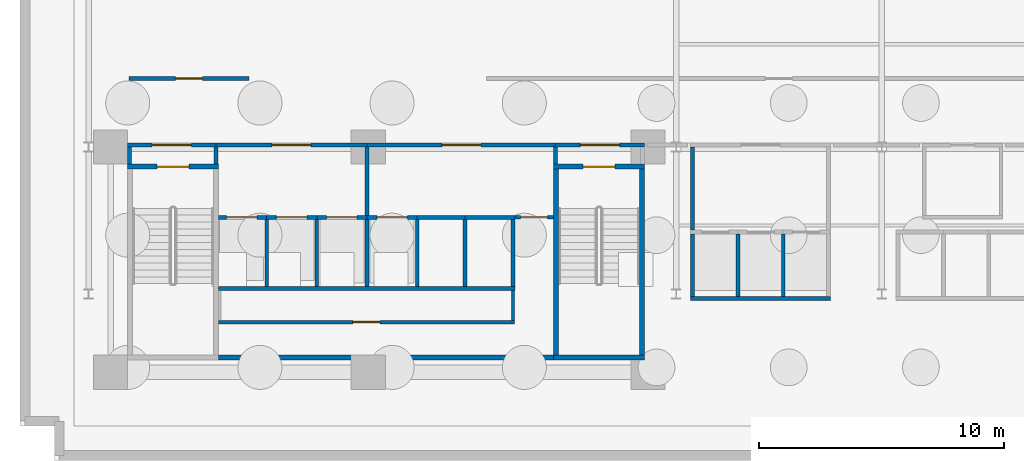
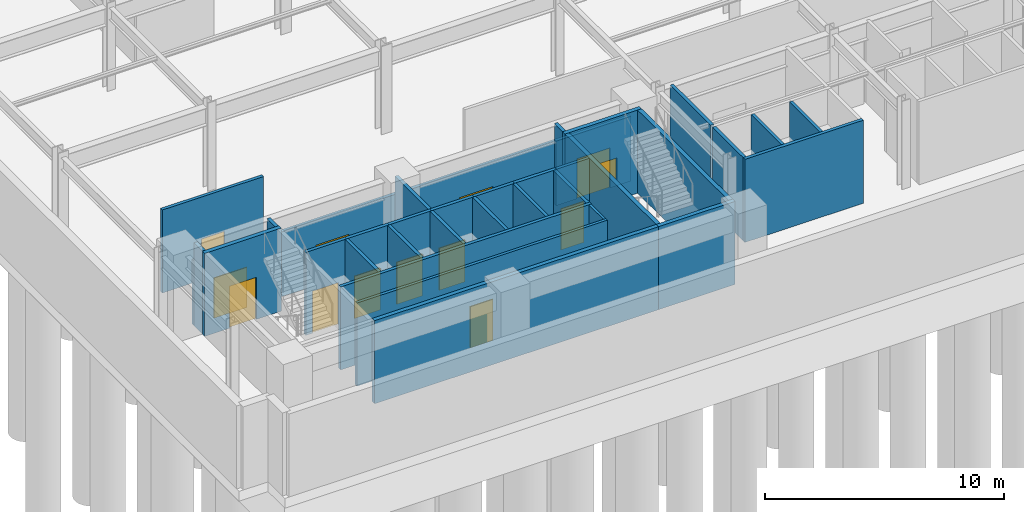
# One storey, part 8 of 14: 36 walls, 13 doors, 13 openings.
"""IFC4 building model written with IfcOpenShell, lengths in metres."""

from ifc_helpers import new_model, si_unit, direction, frame, frame_2d, origin, place, context, subcontext, project, spatial, rectangle, extrude, material, layer, layer_set, type_object, element, fill, save


model = new_model("IFC4")

# Units and contexts
model_context = context("Model", 3, precision=1e-05, world=origin(), true_north=direction((0.0, 1.0)))
body_context = subcontext(model_context, "Body", "Model", "MODEL_VIEW")
ifc_project = project(units=[si_unit("LENGTHUNIT", "METRE"), si_unit("AREAUNIT", "SQUARE_METRE"), si_unit("VOLUMEUNIT", "CUBIC_METRE"), si_unit("PLANEANGLEUNIT", "RADIAN"), si_unit("MASSUNIT", "GRAM", prefix="KILO")], contexts=[model_context])

# Site, building, storey
site_placement = place(None, origin())
site = spatial("IfcSite", under=ifc_project, at=site_placement, CompositionType="ELEMENT")
building_placement = place(site_placement, origin())
building = spatial("IfcBuilding", under=site, at=building_placement, Name="Varnakote Quay Hospital", CompositionType="ELEMENT")
storey_placement = place(building_placement, frame((0.0, 0.0, -9.0)))
storey = spatial("IfcBuildingStorey", under=building, at=storey_placement, Name="B02", CompositionType="ELEMENT", Elevation=-9.0)

# Wall
ifc_material_1 = material(Name="Fire-rated acoustic gypsum stud wall", Category="gypsum")
ifc_layer_1 = layer(ifc_material_1, 0.159912109375)
ifc_layer_set_1 = layer_set([ifc_layer_1], Name="Fire-rated acoustic gypsum stud wall")
wall_type_1 = type_object("IfcWallType", Name="WL-COMP-160", PredefinedType="PARTITIONING", material=ifc_layer_set_1)
wall_1_placement = place(storey_placement, frame((2.8798828125, 11.300048828125, 0.0), z_axis=(0.0, 0.0, 1.0), x_axis=(0.0, 1.0, 0.0)))
element("IfcWall", 1, at=wall_1_placement, inside=storey, type_object=wall_type_1, Name="B02 West Stair Vestibule West Wall", PredefinedType="PARTITIONING", context=body_context, shape_type="SweptSolid", body=[
    extrude(rectangle(XDim=0.699951171875, YDim=0.159912109375, at=frame_2d((0.35009765625, 0.0))), origin(), (0.0, 0.0, 1.0), 4.239990234375),
])

# Wall, opening, door
wall_2_placement = place(storey_placement, frame((2.800048828125, 12.080078125, 0.0), z_axis=(0.0, 0.0, 1.0), x_axis=(1.0, 0.0, 0.0)))
wall_2 = element("IfcWall", 2, at=wall_2_placement, inside=storey, type_object=wall_type_1, Name="B02 West Stair Vestibule Smoke Wall", PredefinedType="PARTITIONING", context=body_context, shape_type="SweptSolid", body=[
    extrude(rectangle(XDim=3.599853515625, YDim=0.159912109375, at=frame_2d((1.7998046875, 0.0))), origin(), (0.0, 0.0, 1.0), 3.304931640625),
])
opening_1_placement = place(wall_2_placement, frame((1.0, 0.0, 0.0)))
opening_1 = element("IfcOpeningElement", 3, at=opening_1_placement, cuts=wall_2, Name="Opening D-ST1L-B02", PredefinedType="OPENING", context=body_context, shape_type="SweptSolid", body=[
    extrude(rectangle(XDim=1.60009765625, YDim=2.050048828125, at=frame_2d((0.800048828125, 1.02490234375))), frame((0.0, 0.08984375, 0.0), z_axis=(0.0, -1.0, 0.0), x_axis=(1.0, 0.0, 0.0)), (0.0, 0.0, 1.0), 0.179931640625),
])
ifc_material_2 = material(Name="Fire-rated double smoke lobby door")
door_type_1 = type_object("IfcDoorType", Name="DR-LOBBY-FD60S-1600x2150", OperationType="NOTDEFINED", PredefinedType="DOOR", material=ifc_material_2)
door_1_placement = place(opening_1_placement, origin())
door_1 = element("IfcDoor", 4, at=door_1_placement, inside=storey, type_object=door_type_1, Name="B02 West Stair Vestibule Smoke Door", OperationType="DOUBLE_DOOR_SINGLE_SWING", OverallHeight=2.050048828125, OverallWidth=1.60009765625, PredefinedType="DOOR", context=body_context, shape_type="SweptSolid", body=[
    extrude(rectangle(XDim=1.60009765625, YDim=2.050048828125, at=frame_2d((0.800048828125, 1.02490234375))), frame((0.0, 0.02490234375, 0.0), z_axis=(0.0, -1.0, 0.0), x_axis=(1.0, 0.0, 0.0)), (0.0, 0.0, 1.0), 0.050048828125),
])
fill(opening_1, door_1)

# Wall
wall_3_placement = place(storey_placement, frame((6.39990234375, 11.300048828125, 0.0), z_axis=(0.0, 0.0, 1.0), x_axis=(0.0, 1.0, 0.0)))
element("IfcWall", 5, at=wall_3_placement, inside=storey, type_object=wall_type_1, Name="B02 Firefighting Lobby West Wall", PredefinedType="PARTITIONING", context=body_context, shape_type="SweptSolid", body=[
    extrude(rectangle(XDim=0.699951171875, YDim=0.159912109375, at=frame_2d((0.35009765625, 0.0))), origin(), (0.0, 0.0, 1.0), 4.239990234375),
])

# Wall, opening, door
wall_4_placement = place(storey_placement, frame((6.39990234375, 12.080078125, 0.0), z_axis=(0.0, 0.0, 1.0), x_axis=(1.0, 0.0, 0.0)))
wall_4 = element("IfcWall", 6, at=wall_4_placement, inside=storey, type_object=wall_type_1, Name="B02 Firefighting Lift Lobby Compartment Wall", PredefinedType="PARTITIONING", context=body_context, shape_type="SweptSolid", body=[
    extrude(rectangle(XDim=6.18017578125, YDim=0.159912109375, at=frame_2d((3.090087890625, 0.0))), origin(), (0.0, 0.0, 1.0), 3.304931640625),
])
opening_2_placement = place(wall_4_placement, frame((2.2900390625, 0.0, 0.0)))
opening_2 = element("IfcOpeningElement", 7, at=opening_2_placement, cuts=wall_4, Name="Opening D-FFL-B02", PredefinedType="OPENING", context=body_context, shape_type="SweptSolid", body=[
    extrude(rectangle(XDim=1.60009765625, YDim=2.050048828125, at=frame_2d((0.800048828125, 1.02490234375))), frame((0.0, 0.08984375, 0.0), z_axis=(0.0, -1.0, 0.0), x_axis=(1.0, 0.0, 0.0)), (0.0, 0.0, 1.0), 0.179931640625),
])
door_2_placement = place(opening_2_placement, origin())
door_2 = element("IfcDoor", 8, at=door_2_placement, inside=storey, type_object=door_type_1, Name="B02 Firefighting Smoke Vestibule Door", OperationType="DOUBLE_DOOR_SINGLE_SWING", OverallHeight=2.050048828125, OverallWidth=1.60009765625, PredefinedType="DOOR", context=body_context, shape_type="SweptSolid", body=[
    extrude(rectangle(XDim=1.60009765625, YDim=2.050048828125, at=frame_2d((0.800048828125, 1.02490234375))), frame((0.0, 0.02490234375, 0.0), z_axis=(0.0, -1.0, 0.0), x_axis=(1.0, 0.0, 0.0)), (0.0, 0.0, 1.0), 0.050048828125),
])
fill(opening_2, door_2)

# Wall
wall_5_placement = place(storey_placement, frame((12.580078125, 9.2099609375, 0.0), z_axis=(0.0, 0.0, 1.0), x_axis=(0.0, 1.0, 0.0)))
element("IfcWall", 9, at=wall_5_placement, inside=storey, type_object=wall_type_1, Name="B02 Firefighting to Service Lobby Wall", PredefinedType="PARTITIONING", context=body_context, shape_type="SweptSolid", body=[
    extrude(rectangle(XDim=2.7900390625, YDim=0.159912109375, at=frame_2d((1.39501953125, 0.0))), origin(), (0.0, 0.0, 1.0), 4.239990234375),
])

# Wall, opening, door
wall_6_placement = place(storey_placement, frame((12.580078125, 12.080078125, 0.0), z_axis=(0.0, 0.0, 1.0), x_axis=(1.0, 0.0, 0.0)))
wall_6 = element("IfcWall", 10, at=wall_6_placement, inside=storey, type_object=wall_type_1, Name="B02 Clinical Bed Lift Lobby Wall", PredefinedType="PARTITIONING", context=body_context, shape_type="SweptSolid", body=[
    extrude(rectangle(XDim=7.699951171875, YDim=0.159912109375, at=frame_2d((3.85009765625, 0.0))), origin(), (0.0, 0.0, 1.0), 3.304931640625),
])
opening_3_placement = place(wall_6_placement, frame((3.050048828125, 0.0, 0.0)))
opening_3 = element("IfcOpeningElement", 11, at=opening_3_placement, cuts=wall_6, Name="Opening D-SVL-B02", PredefinedType="OPENING", context=body_context, shape_type="SweptSolid", body=[
    extrude(rectangle(XDim=1.60009765625, YDim=2.050048828125, at=frame_2d((0.800048828125, 1.02490234375))), frame((0.0, 0.08984375, 0.0), z_axis=(0.0, -1.0, 0.0), x_axis=(1.0, 0.0, 0.0)), (0.0, 0.0, 1.0), 0.179931640625),
])
door_3_placement = place(opening_3_placement, origin())
door_3 = element("IfcDoor", 12, at=door_3_placement, inside=storey, type_object=door_type_1, Name="B02 Clinical Core Smoke Vestibule Door", OperationType="DOUBLE_DOOR_SINGLE_SWING", OverallHeight=2.050048828125, OverallWidth=1.60009765625, PredefinedType="DOOR", context=body_context, shape_type="SweptSolid", body=[
    extrude(rectangle(XDim=1.60009765625, YDim=2.050048828125, at=frame_2d((0.800048828125, 1.02490234375))), frame((0.0, 0.02490234375, 0.0), z_axis=(0.0, -1.0, 0.0), x_axis=(1.0, 0.0, 0.0)), (0.0, 0.0, 1.0), 0.050048828125),
])
fill(opening_3, door_3)

# Wall
wall_7_placement = place(storey_placement, frame((20.280029296875, 11.300048828125, 0.0), z_axis=(0.0, 0.0, 1.0), x_axis=(0.0, 1.0, 0.0)))
element("IfcWall", 13, at=wall_7_placement, inside=storey, type_object=wall_type_1, Name="B02 East Stair Vestibule Divider Wall", PredefinedType="PARTITIONING", context=body_context, shape_type="SweptSolid", body=[
    extrude(rectangle(XDim=0.699951171875, YDim=0.159912109375, at=frame_2d((0.35009765625, 0.0))), origin(), (0.0, 0.0, 1.0), 4.239990234375),
])

# Wall, opening, door
wall_8_placement = place(storey_placement, frame((20.280029296875, 12.080078125, 0.0), z_axis=(0.0, 0.0, 1.0), x_axis=(1.0, 0.0, 0.0)))
wall_8 = element("IfcWall", 14, at=wall_8_placement, inside=storey, type_object=wall_type_1, Name="B02 East Stair Vestibule Smoke Wall", PredefinedType="PARTITIONING", context=body_context, shape_type="SweptSolid", body=[
    extrude(rectangle(XDim=3.619873046875, YDim=0.159912109375, at=frame_2d((1.81005859375, 0.0))), origin(), (0.0, 0.0, 1.0), 3.304931640625),
])
opening_4_placement = place(wall_8_placement, frame((1.010009765625, 0.0, 0.0)))
opening_4 = element("IfcOpeningElement", 15, at=opening_4_placement, cuts=wall_8, Name="Opening D-ST2L-B02", PredefinedType="OPENING", context=body_context, shape_type="SweptSolid", body=[
    extrude(rectangle(XDim=1.60009765625, YDim=2.050048828125, at=frame_2d((0.800048828125, 1.02490234375))), frame((0.0, 0.08984375, 0.0), z_axis=(0.0, -1.0, 0.0), x_axis=(1.0, 0.0, 0.0)), (0.0, 0.0, 1.0), 0.179931640625),
])
door_4_placement = place(opening_4_placement, origin())
door_4 = element("IfcDoor", 16, at=door_4_placement, inside=storey, type_object=door_type_1, Name="B02 East Stair Vestibule Smoke Door", OperationType="DOUBLE_DOOR_SINGLE_SWING", OverallHeight=2.050048828125, OverallWidth=1.60009765625, PredefinedType="DOOR", context=body_context, shape_type="SweptSolid", body=[
    extrude(rectangle(XDim=1.60009765625, YDim=2.050048828125, at=frame_2d((0.800048828125, 1.02490234375))), frame((0.0, 0.02490234375, 0.0), z_axis=(0.0, -1.0, 0.0), x_axis=(1.0, 0.0, 0.0)), (0.0, 0.0, 1.0), 0.050048828125),
])
fill(opening_4, door_4)

# Walls
wall_9_placement = place(storey_placement, frame((25.8701171875, 8.610107421875, 0.0), z_axis=(0.0, 0.0, 1.0), x_axis=(0.0, 1.0, 0.0)))
element("IfcWall", 17, at=wall_9_placement, inside=storey, type_object=wall_type_1, Name="B02 Low-Rise Lift Lobby West Wall", PredefinedType="PARTITIONING", context=body_context, shape_type="SweptSolid", body=[
    extrude(rectangle(XDim=3.389892578125, YDim=0.159912109375, at=frame_2d((1.69482421875, 0.0))), origin(), (0.0, 0.0, 1.0), 4.239990234375),
])
ifc_material_3 = material(Name="Concrete N80 (f'c 80 MPa)", Category="concrete")
ifc_layer_2 = layer(ifc_material_3, 0.199951171875)
ifc_layer_set_2 = layer_set([ifc_layer_2], Name="Concrete N80 (f'c 80 MPa)")
wall_type_2 = type_object("IfcWallType", Name="WL-CORE-N80-200", PredefinedType="SHEAR", material=ifc_layer_set_2)
wall_10_placement = place(storey_placement, frame((6.5, 3.39990234375, 0.0), z_axis=(0.0, 0.0, 1.0), x_axis=(1.0, 0.0, 0.0)))
element("IfcWall", 18, at=wall_10_placement, inside=storey, type_object=wall_type_2, Name="B02 Rear Core South Shear Wall", PredefinedType="SHEAR", context=body_context, shape_type="SweptSolid", body=[
    extrude(rectangle(XDim=13.699951171875, YDim=0.199951171875, at=frame_2d((6.85009765625, 0.0))), origin(), (0.0, 0.0, 1.0), 4.239990234375),
])
ifc_material_4 = material(Name="Concrete N50 (f'c 50 MPa)", Category="concrete")
ifc_layer_3 = layer(ifc_material_4, 0.14990234375)
ifc_layer_set_3 = layer_set([ifc_layer_3], Name="Concrete N50 (f'c 50 MPa)")
wall_type_3 = type_object("IfcWallType", Name="WL-SHAFT-N50-150", PredefinedType="SHEAR", material=ifc_layer_set_3)
for number, where, z_axis, x_axis, name in (
    (19, (8.47509765625, 6.300048828125, 0.0), (0.0, 0.0, 1.0), (0.0, 1.0, 0.0), "B02 LF-FF1 Hoistway Divider Wall"),
    (20, (10.52490234375, 6.300048828125, 0.0), (0.0, 0.0, 1.0), (0.0, 1.0, 0.0), "B02 LF-FF2 Hoistway Divider Wall"),
    (21, (12.574951171875, 6.300048828125, 0.0), (0.0, 0.0, 1.0), (0.0, 1.0, 0.0), "B02 LF-SV1 Hoistway Divider Wall"),
    (22, (14.625, 6.300048828125, 0.0), (0.0, 0.0, 1.0), (0.0, 1.0, 0.0), "B02 LF-SV2 Hoistway Divider Wall"),
    (23, (16.574951171875, 6.300048828125, 0.0), (0.0, 0.0, 1.0), (0.0, 1.0, 0.0), "B02 LF-PH1 Hoistway Divider Wall"),
):
    element("IfcWall", number, at=place(storey_placement, frame(where, z_axis=z_axis, x_axis=x_axis)), inside=storey, type_object=wall_type_3, Name=name, PredefinedType="SHEAR", context=body_context, shape_type="SweptSolid", body=[
        extrude(rectangle(XDim=2.75, YDim=0.14990234375, at=frame_2d((1.375, 0.0))), origin(), (0.0, 0.0, 1.0), 4.239990234375),
    ])
for number, where, z_axis, x_axis, name in (
    (24, (27.72509765625, 5.89990234375, 0.0), (0.0, 0.0, 1.0), (0.0, 1.0, 0.0), "B02 LF-PL1 Hoistway Divider Wall"),
    (25, (29.574951171875, 5.89990234375, 0.0), (0.0, 0.0, 1.0), (0.0, 1.0, 0.0), "B02 LF-PL2 Hoistway Divider Wall"),
):
    element("IfcWall", number, at=place(storey_placement, frame(where, z_axis=z_axis, x_axis=x_axis)), inside=storey, type_object=wall_type_3, Name=name, PredefinedType="SHEAR", context=body_context, shape_type="SweptSolid", body=[
        extrude(rectangle(XDim=2.550048828125, YDim=0.14990234375, at=frame_2d((1.27490234375, 0.0))), origin(), (0.0, 0.0, 1.0), 4.239990234375),
    ])
ifc_material_5 = material(Name="Concrete N50 (f'c 50 MPa)", Category="concrete")
ifc_layer_4 = layer(ifc_material_5, 0.159912109375)
ifc_layer_set_4 = layer_set([ifc_layer_4], Name="Concrete N50 (f'c 50 MPa)")
wall_type_4 = type_object("IfcWallType", Name="WL-SHAFT-N50-160", PredefinedType="SHEAR", material=ifc_layer_set_4)
wall_11_placement = place(storey_placement, frame((6.5, 6.219970703125, 0.0), z_axis=(0.0, 0.0, 1.0), x_axis=(1.0, 0.0, 0.0)))
element("IfcWall", 26, at=wall_11_placement, inside=storey, type_object=wall_type_4, Name="B02 REAR Lift Bank Back Shear Wall", PredefinedType="SHEAR", context=body_context, shape_type="SweptSolid", body=[
    extrude(rectangle(XDim=12.110107421875, YDim=0.159912109375, at=frame_2d((6.05517578125, 0.0))), origin(), (0.0, 0.0, 1.0), 4.239990234375),
])
wall_12_placement = place(storey_placement, frame((18.530029296875, 6.300048828125, 0.0), z_axis=(0.0, 0.0, 1.0), x_axis=(0.0, 1.0, 0.0)))
element("IfcWall", 27, at=wall_12_placement, inside=storey, type_object=wall_type_4, Name="B02 REAR Lift Bank East Shear Wall", PredefinedType="SHEAR", context=body_context, shape_type="SweptSolid", body=[
    extrude(rectangle(XDim=2.75, YDim=0.159912109375, at=frame_2d((1.375, 0.0))), origin(), (0.0, 0.0, 1.0), 4.239990234375),
])

# Wall, opening, door
wall_13_placement = place(storey_placement, frame((6.5, 9.1298828125, 0.0), z_axis=(0.0, 0.0, 1.0), x_axis=(1.0, 0.0, 0.0)))
wall_13 = element("IfcWall", 28, at=wall_13_placement, inside=storey, type_object=wall_type_4, Name="B02 LF-FF1 Hoistway Front Wall", PredefinedType="SHEAR", context=body_context, shape_type="SweptSolid", body=[
    extrude(rectangle(XDim=1.97509765625, YDim=0.159912109375, at=frame_2d((0.987548828125, 0.0))), origin(), (0.0, 0.0, 1.0), 4.239990234375),
])
opening_5_placement = place(wall_13_placement, frame((0.324951171875, 0.0, 0.0)))
opening_5 = element("IfcOpeningElement", 29, at=opening_5_placement, cuts=wall_13, Name="Opening LD-FF1-B02", PredefinedType="OPENING", context=body_context, shape_type="SweptSolid", body=[
    extrude(rectangle(XDim=1.25, YDim=2.14990234375, at=frame_2d((0.625, 1.074951171875))), frame((0.0, 0.08984375, 0.0), z_axis=(0.0, -1.0, 0.0), x_axis=(1.0, 0.0, 0.0)), (0.0, 0.0, 1.0), 0.179931640625),
])
ifc_material_6 = material(Name="Stainless steel lift landing sliding door", Category="steel")
door_type_2 = type_object("IfcDoorType", Name="DR-LIFT-LD-1250x2150", OperationType="NOTDEFINED", PredefinedType="DOOR", material=ifc_material_6)
door_5_placement = place(opening_5_placement, origin())
door_5 = element("IfcDoor", 30, at=door_5_placement, inside=storey, type_object=door_type_2, Name="B02 LF-FF1 Lift Landing Sliding Door", OperationType="SLIDING_TO_LEFT", OverallHeight=2.14990234375, OverallWidth=1.25, PredefinedType="DOOR", context=body_context, shape_type="SweptSolid", body=[
    extrude(rectangle(XDim=1.25, YDim=2.14990234375, at=frame_2d((0.625, 1.074951171875))), frame((0.0, 0.02490234375, 0.0), z_axis=(0.0, -1.0, 0.0), x_axis=(1.0, 0.0, 0.0)), (0.0, 0.0, 1.0), 0.050048828125),
])
fill(opening_5, door_5)

wall_14_placement = place(storey_placement, frame((8.47509765625, 9.1298828125, 0.0), z_axis=(0.0, 0.0, 1.0), x_axis=(1.0, 0.0, 0.0)))
wall_14 = element("IfcWall", 31, at=wall_14_placement, inside=storey, type_object=wall_type_4, Name="B02 LF-FF2 Hoistway Front Wall", PredefinedType="SHEAR", context=body_context, shape_type="SweptSolid", body=[
    extrude(rectangle(XDim=2.0498046875, YDim=0.159912109375, at=frame_2d((1.02490234375, 0.0))), origin(), (0.0, 0.0, 1.0), 4.239990234375),
])
opening_6_placement = place(wall_14_placement, frame((0.39990234375, 0.0, 0.0)))
opening_6 = element("IfcOpeningElement", 32, at=opening_6_placement, cuts=wall_14, Name="Opening LD-FF2-B02", PredefinedType="OPENING", context=body_context, shape_type="SweptSolid", body=[
    extrude(rectangle(XDim=1.25, YDim=2.14990234375, at=frame_2d((0.625, 1.074951171875))), frame((0.0, 0.08984375, 0.0), z_axis=(0.0, -1.0, 0.0), x_axis=(1.0, 0.0, 0.0)), (0.0, 0.0, 1.0), 0.179931640625),
])
door_6_placement = place(opening_6_placement, origin())
door_6 = element("IfcDoor", 33, at=door_6_placement, inside=storey, type_object=door_type_2, Name="B02 LF-FF2 Lift Landing Sliding Door", OperationType="SLIDING_TO_LEFT", OverallHeight=2.14990234375, OverallWidth=1.25, PredefinedType="DOOR", context=body_context, shape_type="SweptSolid", body=[
    extrude(rectangle(XDim=1.25, YDim=2.14990234375, at=frame_2d((0.625, 1.074951171875))), frame((0.0, 0.02490234375, 0.0), z_axis=(0.0, -1.0, 0.0), x_axis=(1.0, 0.0, 0.0)), (0.0, 0.0, 1.0), 0.050048828125),
])
fill(opening_6, door_6)

wall_15_placement = place(storey_placement, frame((10.52490234375, 9.1298828125, 0.0), z_axis=(0.0, 0.0, 1.0), x_axis=(1.0, 0.0, 0.0)))
wall_15 = element("IfcWall", 34, at=wall_15_placement, inside=storey, type_object=wall_type_4, Name="B02 LF-SV1 Hoistway Front Wall", PredefinedType="SHEAR", context=body_context, shape_type="SweptSolid", body=[
    extrude(rectangle(XDim=2.050048828125, YDim=0.159912109375, at=frame_2d((1.02490234375, 0.0))), origin(), (0.0, 0.0, 1.0), 4.239990234375),
])
opening_7_placement = place(wall_15_placement, frame((0.39990234375, 0.0, 0.0)))
opening_7 = element("IfcOpeningElement", 35, at=opening_7_placement, cuts=wall_15, Name="Opening LD-SV1-B02", PredefinedType="OPENING", context=body_context, shape_type="SweptSolid", body=[
    extrude(rectangle(XDim=1.25, YDim=2.14990234375, at=frame_2d((0.625, 1.074951171875))), frame((0.0, 0.08984375, 0.0), z_axis=(0.0, -1.0, 0.0), x_axis=(1.0, 0.0, 0.0)), (0.0, 0.0, 1.0), 0.179931640625),
])
door_7_placement = place(opening_7_placement, origin())
door_7 = element("IfcDoor", 36, at=door_7_placement, inside=storey, type_object=door_type_2, Name="B02 LF-SV1 Lift Landing Sliding Door", OperationType="SLIDING_TO_LEFT", OverallHeight=2.14990234375, OverallWidth=1.25, PredefinedType="DOOR", context=body_context, shape_type="SweptSolid", body=[
    extrude(rectangle(XDim=1.25, YDim=2.14990234375, at=frame_2d((0.625, 1.074951171875))), frame((0.0, 0.02490234375, 0.0), z_axis=(0.0, -1.0, 0.0), x_axis=(1.0, 0.0, 0.0)), (0.0, 0.0, 1.0), 0.050048828125),
])
fill(opening_7, door_7)

wall_16_placement = place(storey_placement, frame((12.574951171875, 9.1298828125, 0.0), z_axis=(0.0, 0.0, 1.0), x_axis=(1.0, 0.0, 0.0)))
wall_16 = element("IfcWall", 37, at=wall_16_placement, inside=storey, type_object=wall_type_4, Name="B02 LF-SV2 Hoistway Front Wall", PredefinedType="SHEAR", context=body_context, shape_type="SweptSolid", body=[
    extrude(rectangle(XDim=2.050048828125, YDim=0.159912109375, at=frame_2d((1.02490234375, 0.0))), origin(), (0.0, 0.0, 1.0), 4.239990234375),
])
opening_8_placement = place(wall_16_placement, frame((0.39990234375, 0.0, 0.0)))
opening_8 = element("IfcOpeningElement", 38, at=opening_8_placement, cuts=wall_16, Name="Opening LD-SV2-B02", PredefinedType="OPENING", context=body_context, shape_type="SweptSolid", body=[
    extrude(rectangle(XDim=1.25, YDim=2.14990234375, at=frame_2d((0.625, 1.074951171875))), frame((0.0, 0.08984375, 0.0), z_axis=(0.0, -1.0, 0.0), x_axis=(1.0, 0.0, 0.0)), (0.0, 0.0, 1.0), 0.179931640625),
])
door_8_placement = place(opening_8_placement, origin())
door_8 = element("IfcDoor", 39, at=door_8_placement, inside=storey, type_object=door_type_2, Name="B02 LF-SV2 Lift Landing Sliding Door", OperationType="SLIDING_TO_LEFT", OverallHeight=2.14990234375, OverallWidth=1.25, PredefinedType="DOOR", context=body_context, shape_type="SweptSolid", body=[
    extrude(rectangle(XDim=1.25, YDim=2.14990234375, at=frame_2d((0.625, 1.074951171875))), frame((0.0, 0.02490234375, 0.0), z_axis=(0.0, -1.0, 0.0), x_axis=(1.0, 0.0, 0.0)), (0.0, 0.0, 1.0), 0.050048828125),
])
fill(opening_8, door_8)

# Walls
wall_17_placement = place(storey_placement, frame((14.625, 9.1298828125, 0.0), z_axis=(0.0, 0.0, 1.0), x_axis=(1.0, 0.0, 0.0)))
element("IfcWall", 40, at=wall_17_placement, inside=storey, type_object=wall_type_4, Name="B02 LF-PH1 Hoistway Front Wall", PredefinedType="SHEAR", context=body_context, shape_type="SweptSolid", body=[
    extrude(rectangle(XDim=1.949951171875, YDim=0.159912109375, at=frame_2d((0.97509765625, 0.0))), origin(), (0.0, 0.0, 1.0), 4.239990234375),
])
wall_18_placement = place(storey_placement, frame((16.574951171875, 9.1298828125, 0.0), z_axis=(0.0, 0.0, 1.0), x_axis=(1.0, 0.0, 0.0)))
element("IfcWall", 41, at=wall_18_placement, inside=storey, type_object=wall_type_4, Name="B02 LF-PH2 Hoistway Front Wall", PredefinedType="SHEAR", context=body_context, shape_type="SweptSolid", body=[
    extrude(rectangle(XDim=2.03515625, YDim=0.159912109375, at=frame_2d((1.017578125, 0.0))), origin(), (0.0, 0.0, 1.0), 4.239990234375),
])
wall_19_placement = place(storey_placement, frame((25.7900390625, 5.820068359375, 0.0), z_axis=(0.0, 0.0, 1.0), x_axis=(1.0, 0.0, 0.0)))
element("IfcWall", 42, at=wall_19_placement, inside=storey, type_object=wall_type_4, Name="B02 LOW Lift Bank Back Shear Wall", PredefinedType="SHEAR", context=body_context, shape_type="SweptSolid", body=[
    extrude(rectangle(XDim=5.719970703125, YDim=0.159912109375, at=frame_2d((2.85986328125, 0.0))), origin(), (0.0, 0.0, 1.0), 4.239990234375),
])
wall_20_placement = place(storey_placement, frame((25.8701171875, 5.89990234375, 0.0), z_axis=(0.0, 0.0, 1.0), x_axis=(0.0, 1.0, 0.0)))
element("IfcWall", 43, at=wall_20_placement, inside=storey, type_object=wall_type_4, Name="B02 LOW Lift Bank West Shear Wall", PredefinedType="SHEAR", context=body_context, shape_type="SweptSolid", body=[
    extrude(rectangle(XDim=2.550048828125, YDim=0.159912109375, at=frame_2d((1.27490234375, 0.0))), origin(), (0.0, 0.0, 1.0), 4.239990234375),
])

# Wall, opening, door
ifc_material_7 = material(Name="Concrete N50 (f'c 50 MPa)", Category="concrete")
ifc_layer_5 = layer(ifc_material_7, 0.199951171875)
ifc_layer_set_5 = layer_set([ifc_layer_5], Name="Concrete N50 (f'c 50 MPa)")
wall_type_5 = type_object("IfcWallType", Name="WL-SHAFT-N50-200", PredefinedType="SHEAR", material=ifc_layer_set_5)
wall_21_placement = place(storey_placement, frame((2.800048828125, 11.199951171875, 0.0), z_axis=(0.0, 0.0, 1.0), x_axis=(1.0, 0.0, 0.0)))
wall_21 = element("IfcWall", 44, at=wall_21_placement, inside=storey, type_object=wall_type_5, Name="B02 Stair ST1 Exit Wall", PredefinedType="SHEAR", context=body_context, shape_type="SweptSolid", body=[
    extrude(rectangle(XDim=3.699951171875, YDim=0.199951171875, at=frame_2d((1.85009765625, 0.0))), origin(), (0.0, 0.0, 1.0), 4.239990234375),
])
opening_9_placement = place(wall_21_placement, frame((1.199951171875, 0.0, 0.0)))
opening_9 = element("IfcOpeningElement", 45, at=opening_9_placement, cuts=wall_21, Name="Opening D-ST1-B02", PredefinedType="OPENING", context=body_context, shape_type="SweptSolid", body=[
    extrude(rectangle(XDim=1.300048828125, YDim=2.14990234375, at=frame_2d((0.64990234375, 1.074951171875))), frame((0.0, 0.10986328125, 0.0), z_axis=(0.0, -1.0, 0.0), x_axis=(1.0, 0.0, 0.0)), (0.0, 0.0, 1.0), 0.219970703125),
])
ifc_material_8 = material(Name="Fire-rated ceramic-glazed timber exit door", Category="wood")
door_type_3 = type_object("IfcDoorType", Name="DR-STAIR-FD60S-1300x2150", OperationType="NOTDEFINED", PredefinedType="DOOR", material=ifc_material_8)
door_9_placement = place(opening_9_placement, origin())
door_9 = element("IfcDoor", 46, at=door_9_placement, inside=storey, type_object=door_type_3, Name="B02 Stair ST1 Fire Exit Door", OperationType="SINGLE_SWING_RIGHT", OverallHeight=2.14990234375, OverallWidth=1.300048828125, PredefinedType="DOOR", context=body_context, shape_type="SweptSolid", body=[
    extrude(rectangle(XDim=1.300048828125, YDim=2.14990234375, at=frame_2d((0.64990234375, 1.074951171875))), frame((0.0, 0.02490234375, 0.0), z_axis=(0.0, -1.0, 0.0), x_axis=(1.0, 0.0, 0.0)), (0.0, 0.0, 1.0), 0.050048828125),
])
fill(opening_9, door_9)

# Walls
wall_22_placement = place(storey_placement, frame((20.199951171875, 3.39990234375, 0.0), z_axis=(0.0, 0.0, 1.0), x_axis=(1.0, 0.0, 0.0)))
element("IfcWall", 47, at=wall_22_placement, inside=storey, type_object=wall_type_5, Name="B02 Stair ST2 South Shaft Wall", PredefinedType="SHEAR", context=body_context, shape_type="SweptSolid", body=[
    extrude(rectangle(XDim=3.699951171875, YDim=0.199951171875, at=frame_2d((1.85009765625, 0.0))), origin(), (0.0, 0.0, 1.0), 4.239990234375),
])
for number, where, z_axis, x_axis, name in (
    (48, (20.300048828125, 3.5, 0.0), (0.0, 0.0, 1.0), (0.0, 1.0, 0.0), "B02 Stair ST2 West Shaft Wall"),
    (49, (23.800048828125, 3.5, 0.0), (0.0, 0.0, 1.0), (0.0, 1.0, 0.0), "B02 Stair ST2 East Shaft Wall"),
):
    element("IfcWall", number, at=place(storey_placement, frame(where, z_axis=z_axis, x_axis=x_axis)), inside=storey, type_object=wall_type_5, Name=name, PredefinedType="SHEAR", context=body_context, shape_type="SweptSolid", body=[
        extrude(rectangle(XDim=7.60009765625, YDim=0.199951171875, at=frame_2d((3.800048828125, 0.0))), origin(), (0.0, 0.0, 1.0), 4.239990234375),
    ])

# Wall, opening, door
wall_23_placement = place(storey_placement, frame((20.199951171875, 11.199951171875, 0.0), z_axis=(0.0, 0.0, 1.0), x_axis=(1.0, 0.0, 0.0)))
wall_23 = element("IfcWall", 50, at=wall_23_placement, inside=storey, type_object=wall_type_5, Name="B02 Stair ST2 Exit Wall", PredefinedType="SHEAR", context=body_context, shape_type="SweptSolid", body=[
    extrude(rectangle(XDim=3.699951171875, YDim=0.199951171875, at=frame_2d((1.85009765625, 0.0))), origin(), (0.0, 0.0, 1.0), 4.239990234375),
])
opening_10_placement = place(wall_23_placement, frame((1.199951171875, 0.0, 0.0)))
opening_10 = element("IfcOpeningElement", 51, at=opening_10_placement, cuts=wall_23, Name="Opening D-ST2-B02", PredefinedType="OPENING", context=body_context, shape_type="SweptSolid", body=[
    extrude(rectangle(XDim=1.300048828125, YDim=2.14990234375, at=frame_2d((0.64990234375, 1.074951171875))), frame((0.0, 0.10986328125, 0.0), z_axis=(0.0, -1.0, 0.0), x_axis=(1.0, 0.0, 0.0)), (0.0, 0.0, 1.0), 0.219970703125),
])
door_10_placement = place(opening_10_placement, origin())
door_10 = element("IfcDoor", 52, at=door_10_placement, inside=storey, type_object=door_type_3, Name="B02 Stair ST2 Fire Exit Door", OperationType="SINGLE_SWING_LEFT", OverallHeight=2.14990234375, OverallWidth=1.300048828125, PredefinedType="DOOR", context=body_context, shape_type="SweptSolid", body=[
    extrude(rectangle(XDim=1.300048828125, YDim=2.14990234375, at=frame_2d((0.64990234375, 1.074951171875))), frame((0.0, 0.02490234375, 0.0), z_axis=(0.0, -1.0, 0.0), x_axis=(1.0, 0.0, 0.0)), (0.0, 0.0, 1.0), 0.050048828125),
])
fill(opening_10, door_10)

# Wall
ifc_material_9 = material(Name="Smoke-proof clinical partition", Category="gypsum")
ifc_layer_6 = layer(ifc_material_9, 0.1201171875)
ifc_layer_set_6 = layer_set([ifc_layer_6], Name="Smoke-proof clinical partition")
wall_type_6 = type_object("IfcWallType", Name="WL-SMOKE-120", PredefinedType="PARTITIONING", material=ifc_layer_set_6)
wall_24_placement = place(storey_placement, frame((18.5400390625, 4.919921875, 0.0), z_axis=(0.0, 0.0, 1.0), x_axis=(0.0, 1.0, 0.0)))
element("IfcWall", 53, at=wall_24_placement, inside=storey, type_object=wall_type_6, Name="B02 Core Service Strip East Wall", PredefinedType="PARTITIONING", context=body_context, shape_type="SweptSolid", body=[
    extrude(rectangle(XDim=1.219970703125, YDim=0.1201171875, at=frame_2d((0.60986328125, 0.0))), origin(), (0.0, 0.0, 1.0), 4.239990234375),
])

# Wall, opening, door
ifc_material_10 = material(Name="Fire-rated clinical gypsum partition", Category="gypsum")
ifc_layer_7 = layer(ifc_material_10, 0.139892578125)
ifc_layer_set_7 = layer_set([ifc_layer_7], Name="Fire-rated clinical gypsum partition")
wall_type_7 = type_object("IfcWallType", Name="WL-WARD-140", PredefinedType="PARTITIONING", material=ifc_layer_set_7)
wall_25_placement = place(storey_placement, frame((6.5, 4.85009765625, 0.0), z_axis=(0.0, 0.0, 1.0), x_axis=(1.0, 0.0, 0.0)))
wall_25 = element("IfcWall", 54, at=wall_25_placement, inside=storey, type_object=wall_type_7, Name="B02 Core Clean Linen Store South Wall", PredefinedType="PARTITIONING", context=body_context, shape_type="SweptSolid", body=[
    extrude(rectangle(XDim=12.10009765625, YDim=0.139892578125, at=frame_2d((6.050048828125, 0.0))), origin(), (0.0, 0.0, 1.0), 4.239990234375),
])
opening_11_placement = place(wall_25_placement, frame((5.5, 0.0, 0.0)))
opening_11 = element("IfcOpeningElement", 55, at=opening_11_placement, cuts=wall_25, Name="Opening D-B02-CR01", PredefinedType="OPENING", context=body_context, shape_type="SweptSolid", body=[
    extrude(rectangle(XDim=1.10009765625, YDim=2.10009765625, at=frame_2d((0.550048828125, 1.050048828125))), frame((0.0, 0.079833984375, 0.0), z_axis=(0.0, -1.0, 0.0), x_axis=(1.0, 0.0, 0.0)), (0.0, 0.0, 1.0), 0.159912109375),
])
ifc_material_11 = material(Name="Acoustic timber clinical consult door", Category="wood")
door_type_4 = type_object("IfcDoorType", Name="DR-CLIN-FD30S-1100x2100", OperationType="NOTDEFINED", PredefinedType="DOOR", material=ifc_material_11)
door_11_placement = place(opening_11_placement, origin())
door_11 = element("IfcDoor", 56, at=door_11_placement, inside=storey, type_object=door_type_4, Name="B02 Core Clean Linen Store Door", OperationType="SINGLE_SWING_RIGHT", OverallHeight=2.10009765625, OverallWidth=1.10009765625, PredefinedType="DOOR", context=body_context, shape_type="SweptSolid", body=[
    extrude(rectangle(XDim=1.10009765625, YDim=2.10009765625, at=frame_2d((0.550048828125, 1.050048828125))), frame((0.0, 0.02490234375, 0.0), z_axis=(0.0, -1.0, 0.0), x_axis=(1.0, 0.0, 0.0)), (0.0, 0.0, 1.0), 0.050048828125),
])
fill(opening_11, door_11)

wall_26_placement = place(storey_placement, frame((18.610107421875, 9.1298828125, 0.0), z_axis=(0.0, 0.0, 1.0), x_axis=(1.0, 0.0, 0.0)))
wall_26 = element("IfcWall", 57, at=wall_26_placement, inside=storey, type_object=wall_type_7, Name="B02 Core Service Corridor North Door Wall", PredefinedType="PARTITIONING", context=body_context, shape_type="SweptSolid", body=[
    extrude(rectangle(XDim=1.58984375, YDim=0.139892578125, at=frame_2d((0.794921875, 0.0))), origin(), (0.0, 0.0, 1.0), 4.239990234375),
])
opening_12_placement = place(wall_26_placement, frame((0.239990234375, 0.0, 0.0)))
opening_12 = element("IfcOpeningElement", 58, at=opening_12_placement, cuts=wall_26, Name="Opening D-CSRV-B02", PredefinedType="OPENING", context=body_context, shape_type="SweptSolid", body=[
    extrude(rectangle(XDim=1.10009765625, YDim=2.10009765625, at=frame_2d((0.550048828125, 1.050048828125))), frame((0.0, 0.079833984375, 0.0), z_axis=(0.0, -1.0, 0.0), x_axis=(1.0, 0.0, 0.0)), (0.0, 0.0, 1.0), 0.159912109375),
])
door_12_placement = place(opening_12_placement, origin())
door_12 = element("IfcDoor", 59, at=door_12_placement, inside=storey, type_object=door_type_4, Name="B02 Core Service Corridor Door", OperationType="SINGLE_SWING_LEFT", OverallHeight=2.10009765625, OverallWidth=1.10009765625, PredefinedType="DOOR", context=body_context, shape_type="SweptSolid", body=[
    extrude(rectangle(XDim=1.10009765625, YDim=2.10009765625, at=frame_2d((0.550048828125, 1.050048828125))), frame((0.0, 0.02490234375, 0.0), z_axis=(0.0, -1.0, 0.0), x_axis=(1.0, 0.0, 0.0)), (0.0, 0.0, 1.0), 0.050048828125),
])
fill(opening_12, door_12)

ifc_material_12 = material(Name="Fire-rated clinical gypsum partition", Category="gypsum")
ifc_layer_8 = layer(ifc_material_12, 0.14990234375)
ifc_layer_set_8 = layer_set([ifc_layer_8], Name="Fire-rated clinical gypsum partition")
wall_type_8 = type_object("IfcWallType", Name="WL-WARD-150", PredefinedType="PARTITIONING", material=ifc_layer_set_8)
wall_27_placement = place(storey_placement, frame((7.74462890625, 14.800048828125, 0.0), z_axis=(0.0, 0.0, 1.0), x_axis=(-1.0, 0.0, 0.0)))
wall_27 = element("IfcWall", 60, at=wall_27_placement, inside=storey, type_object=wall_type_8, Name="B02 Clinical Interior Partition", PredefinedType="PARTITIONING", context=body_context, shape_type="SweptSolid", body=[
    extrude(rectangle(XDim=4.89453125, YDim=0.14990234375, at=frame_2d((2.447265625, 0.0))), origin(), (0.0, 0.0, 1.0), 4.239990234375),
])
opening_13_placement = place(wall_27_placement, frame((1.897216796875, 0.0, 0.0)))
opening_13 = element("IfcOpeningElement", 61, at=opening_13_placement, cuts=wall_27, Name="Opening D-B02-PKE", PredefinedType="OPENING", context=body_context, shape_type="SweptSolid", body=[
    extrude(rectangle(XDim=1.10009765625, YDim=2.10009765625, at=frame_2d((0.550048828125, 1.050048828125))), frame((0.0, 0.0849609375, 0.0), z_axis=(0.0, -1.0, 0.0), x_axis=(1.0, 0.0, 0.0)), (0.0, 0.0, 1.0), 0.169921875),
])
door_13_placement = place(opening_13_placement, origin())
door_13 = element("IfcDoor", 62, at=door_13_placement, inside=storey, type_object=door_type_4, Name="B02 West Accessible Car Park Bays Door", OperationType="SINGLE_SWING_LEFT", OverallHeight=2.10009765625, OverallWidth=1.10009765625, PredefinedType="DOOR", context=body_context, shape_type="SweptSolid", body=[
    extrude(rectangle(XDim=1.10009765625, YDim=2.10009765625, at=frame_2d((0.550048828125, 1.050048828125))), frame((0.0, 0.02490234375, 0.0), z_axis=(0.0, -1.0, 0.0), x_axis=(1.0, 0.0, 0.0)), (0.0, 0.0, 1.0), 0.050048828125),
])
fill(opening_13, door_13)

save(model, "model.ifc")
